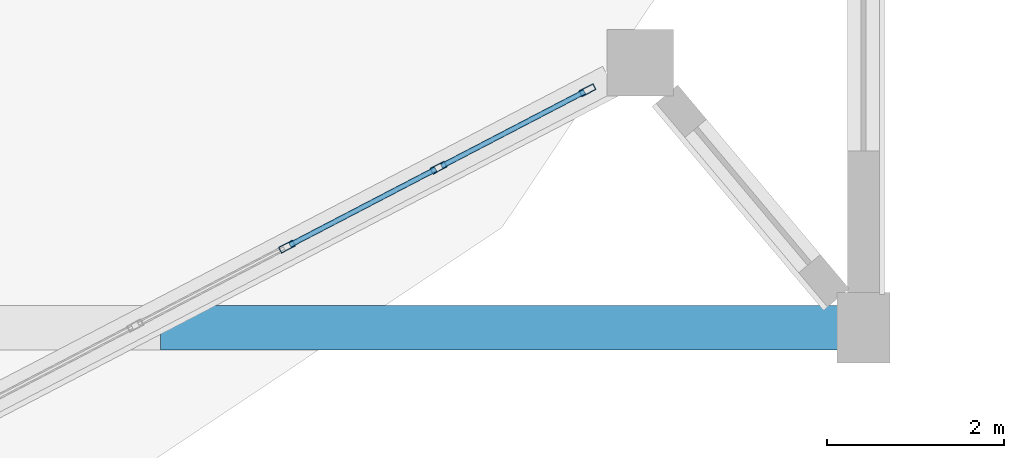
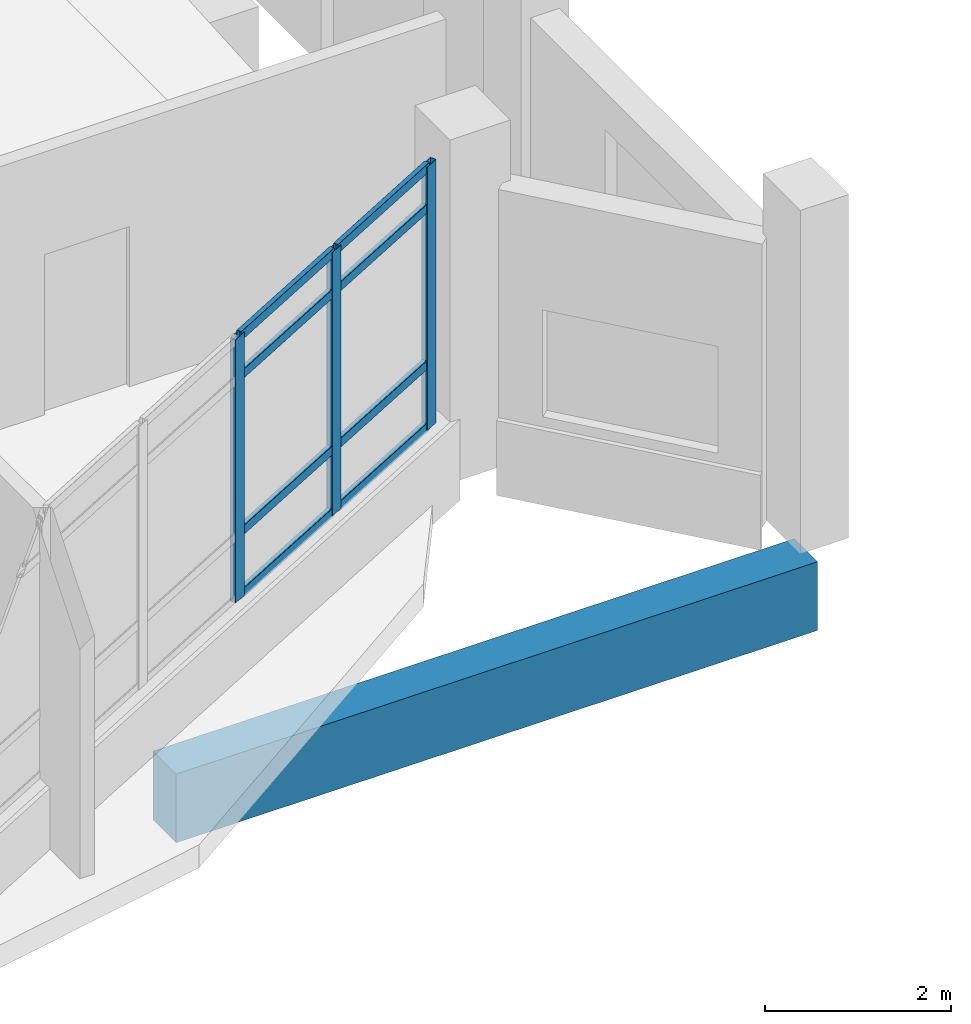
# One storey, part 20 of 129: 11 members, 1 beam, 1 element without a shape of its own.
"""IFC4 building model written with IfcOpenShell, lengths in metres."""

from ifc_helpers import new_model, si_unit, direction, frame, origin, origin_2d, place, context, subcontext, project, spatial, rectangle, hollow_rectangle, extrude, material, layer, layer_set, material_profile, profile_set, type_object, element, aggregate, save


model = new_model("IFC4")

# Units and contexts
model_context = context("Model", 3, precision=1e-05, world=origin(), true_north=direction((0.0, 1.0)))
body_context = subcontext(model_context, "Body", "Model", "MODEL_VIEW")
ifc_project = project(units=[si_unit("LENGTHUNIT", "METRE"), si_unit("AREAUNIT", "SQUARE_METRE"), si_unit("VOLUMEUNIT", "CUBIC_METRE"), si_unit("PLANEANGLEUNIT", "RADIAN"), si_unit("MASSUNIT", "GRAM", prefix="KILO")], contexts=[model_context])

# Site, building, storey
site_placement = place(None, origin())
site = spatial("IfcSite", under=ifc_project, at=site_placement, CompositionType="ELEMENT")
building_placement = place(site_placement, origin())
building = spatial("IfcBuilding", under=site, at=building_placement, Name="Vespera Passage Community Centre", CompositionType="ELEMENT")
storey_placement = place(building_placement, origin())
storey = spatial("IfcBuildingStorey", under=building, at=storey_placement, Name="L00", CompositionType="ELEMENT", Elevation=0.0)

# Beam
ifc_material_1 = material(Name="Concrete f'c 45 MPa", Category="concrete")
ifc_material_profile_1 = material_profile(ifc_material_1, rectangle(XDim=0.5, YDim=0.89990234375, at=origin_2d()), Name="RC500X900")
ifc_profile_set_1 = profile_set([ifc_material_profile_1], Name="Concrete f'c 45 MPa")
beam_type = type_object("IfcBeamType", Name="BM-G-500X900", PredefinedType="BEAM", material=ifc_profile_set_1)
beam_placement = place(storey_placement, frame((24.0, 7.0, -0.75), z_axis=(1.0, 0.0, 0.0), x_axis=(0.0, 1.0, 0.0)))
element("IfcBeam", 1, at=beam_placement, inside=storey, type_object=beam_type, Name="V1 L00 Floor Girder 1.3", PredefinedType="BEAM", context=body_context, shape_type="SweptSolid", body=[
    extrude(rectangle(XDim=0.5, YDim=0.89990234375, at=origin_2d()), origin(), (0.0, 0.0, 1.0), 7.949951171875),
])

# Curtain wall, members
ifc_material_2 = material(Name="Anodized aluminium 6063-T6", Category="aluminium")
ifc_layer = layer(ifc_material_2, 0.159912109375)
ifc_layer_set = layer_set([ifc_layer], Name="Anodized aluminium 6063-T6")
curtain_wall_type = type_object("IfcCurtainWallType", Name="CW-83E", PredefinedType="NOTDEFINED", material=ifc_layer_set)
curtain_wall_placement = place(storey_placement, origin())
curtain_wall = element("IfcCurtainWall", 2, at=curtain_wall_placement, inside=storey, type_object=curtain_wall_type, Name="V1 L00 S Apse Ribbon Curtain Wall 2", PredefinedType="NOTDEFINED")
ifc_material_3 = material(Name="Anodized aluminium 6063-T6", Category="aluminium")
ifc_material_profile_2 = material_profile(ifc_material_3, hollow_rectangle(XDim=0.074951171875, YDim=0.179931640625, WallThickness=0.0048828125, InnerFilletRadius=0.00244140625, OuterFilletRadius=0.0048828125, at=origin_2d()), Name="ALU180X75X5")
ifc_profile_set_2 = profile_set([ifc_material_profile_2], Name="Anodized aluminium 6063-T6")
member_type_1 = type_object("IfcMemberType", Name="MB-CWM-180E", PredefinedType="MULLION", material=ifc_profile_set_2)
member_1_placement = place(storey_placement, frame((28.828125, 9.686767578125, 0.800048828125), z_axis=(0.0, 0.0, 1.0), x_axis=(0.46174493668, -0.887012747062, 0.0)))
member_1 = element("IfcMember", 3, at=member_1_placement, type_object=member_type_1, Name="CW-83E mullion 1", PredefinedType="MULLION", context=body_context, shape_type="SweptSolid", body=[
    extrude(hollow_rectangle(XDim=0.074951171875, YDim=0.179931640625, WallThickness=0.0048828125, InnerFilletRadius=0.00244140625, OuterFilletRadius=0.0048828125, at=origin_2d()), origin(), (0.0, 0.0, 1.0), 3.449951171875),
])
member_2_placement = place(storey_placement, frame((27.1455078125, 8.810791015625, 0.800048828125), z_axis=(0.0, 0.0, 1.0), x_axis=(0.46174493668, -0.887012747062, 0.0)))
member_2 = element("IfcMember", 4, at=member_2_placement, type_object=member_type_1, Name="CW-83E mullion 2", PredefinedType="MULLION", context=body_context, shape_type="SweptSolid", body=[
    extrude(hollow_rectangle(XDim=0.074951171875, YDim=0.179931640625, WallThickness=0.0048828125, InnerFilletRadius=0.00244140625, OuterFilletRadius=0.0048828125, at=origin_2d()), origin(), (0.0, 0.0, 1.0), 3.449951171875),
])
member_3_placement = place(storey_placement, frame((25.4296875, 7.91748046875, 0.800048828125), z_axis=(0.0, 0.0, 1.0), x_axis=(0.46174493668, -0.887012747062, 0.0)))
member_3 = element("IfcMember", 5, at=member_3_placement, type_object=member_type_1, Name="CW-83E mullion 3", PredefinedType="MULLION", context=body_context, shape_type="SweptSolid", body=[
    extrude(hollow_rectangle(XDim=0.074951171875, YDim=0.179931640625, WallThickness=0.0048828125, InnerFilletRadius=0.00244140625, OuterFilletRadius=0.0048828125, at=origin_2d()), origin(), (0.0, 0.0, 1.0), 3.449951171875),
])
ifc_material_4 = material(Name="Anodized aluminium 6063-T6", Category="aluminium")
ifc_material_profile_3 = material_profile(ifc_material_4, hollow_rectangle(XDim=0.06005859375, YDim=0.1201171875, WallThickness=0.00390625, InnerFilletRadius=0.001953125, OuterFilletRadius=0.00390625, at=origin_2d()), Name="ALU120X60X4")
ifc_profile_set_3 = profile_set([ifc_material_profile_3], Name="Anodized aluminium 6063-T6")
member_type_2 = type_object("IfcMemberType", Name="MB-CWT-120E", PredefinedType="USERDEFINED", material=ifc_profile_set_3)
member_4_placement = place(storey_placement, frame((28.794921875, 9.66943359375, 0.830078125), z_axis=(-0.887019277583, -0.461732391322, 0.0), x_axis=(0.461732391322, -0.887019277583, 0.0)))
member_4 = element("IfcMember", 6, at=member_4_placement, type_object=member_type_2, Name="CW-83E transom 1.1", ObjectType="TRANSOM", PredefinedType="USERDEFINED", context=body_context, shape_type="SweptSolid", body=[
    extrude(hollow_rectangle(XDim=0.06005859375, YDim=0.1201171875, WallThickness=0.00390625, InnerFilletRadius=0.001953125, OuterFilletRadius=0.00390625, at=origin_2d()), origin(), (0.0, 0.0, 1.0), 1.822021484375),
])
member_5_placement = place(storey_placement, frame((28.794921875, 9.66943359375, 1.64990234375), z_axis=(-0.887019277583, -0.461732391322, 0.0), x_axis=(0.461732391322, -0.887019277583, 0.0)))
member_5 = element("IfcMember", 7, at=member_5_placement, type_object=member_type_2, Name="CW-83E transom 1.2", ObjectType="TRANSOM", PredefinedType="USERDEFINED", context=body_context, shape_type="SweptSolid", body=[
    extrude(hollow_rectangle(XDim=0.06005859375, YDim=0.1201171875, WallThickness=0.00390625, InnerFilletRadius=0.001953125, OuterFilletRadius=0.00390625, at=origin_2d()), origin(), (0.0, 0.0, 1.0), 1.822021484375),
])
member_6_placement = place(storey_placement, frame((28.794921875, 9.66943359375, 3.699951171875), z_axis=(-0.887019277583, -0.461732391322, 0.0), x_axis=(0.461732391322, -0.887019277583, 0.0)))
member_6 = element("IfcMember", 8, at=member_6_placement, type_object=member_type_2, Name="CW-83E transom 1.3", ObjectType="TRANSOM", PredefinedType="USERDEFINED", context=body_context, shape_type="SweptSolid", body=[
    extrude(hollow_rectangle(XDim=0.06005859375, YDim=0.1201171875, WallThickness=0.00390625, InnerFilletRadius=0.001953125, OuterFilletRadius=0.00390625, at=origin_2d()), origin(), (0.0, 0.0, 1.0), 1.822021484375),
])
member_7_placement = place(storey_placement, frame((28.794921875, 9.66943359375, 4.219970703125), z_axis=(-0.887019277583, -0.461732391322, 0.0), x_axis=(0.461732391322, -0.887019277583, 0.0)))
member_7 = element("IfcMember", 9, at=member_7_placement, type_object=member_type_2, Name="CW-83E transom 1.4", ObjectType="TRANSOM", PredefinedType="USERDEFINED", context=body_context, shape_type="SweptSolid", body=[
    extrude(hollow_rectangle(XDim=0.06005859375, YDim=0.1201171875, WallThickness=0.00390625, InnerFilletRadius=0.001953125, OuterFilletRadius=0.00390625, at=origin_2d()), origin(), (0.0, 0.0, 1.0), 1.822021484375),
])
member_8_placement = place(storey_placement, frame((27.1123046875, 8.79345703125, 0.830078125), z_axis=(-0.887008197889, -0.461753675544, 0.0), x_axis=(0.461753675544, -0.887008197889, 0.0)))
member_8 = element("IfcMember", 10, at=member_8_placement, type_object=member_type_2, Name="CW-83E transom 2.1", ObjectType="TRANSOM", PredefinedType="USERDEFINED", context=body_context, shape_type="SweptSolid", body=[
    extrude(hollow_rectangle(XDim=0.06005859375, YDim=0.1201171875, WallThickness=0.00390625, InnerFilletRadius=0.001953125, OuterFilletRadius=0.00390625, at=origin_2d()), origin(), (0.0, 0.0, 1.0), 1.859619140625),
])
member_9_placement = place(storey_placement, frame((27.1123046875, 8.79345703125, 1.64990234375), z_axis=(-0.887008197889, -0.461753675544, 0.0), x_axis=(0.461753675544, -0.887008197889, 0.0)))
member_9 = element("IfcMember", 11, at=member_9_placement, type_object=member_type_2, Name="CW-83E transom 2.2", ObjectType="TRANSOM", PredefinedType="USERDEFINED", context=body_context, shape_type="SweptSolid", body=[
    extrude(hollow_rectangle(XDim=0.06005859375, YDim=0.1201171875, WallThickness=0.00390625, InnerFilletRadius=0.001953125, OuterFilletRadius=0.00390625, at=origin_2d()), origin(), (0.0, 0.0, 1.0), 1.859619140625),
])
member_10_placement = place(storey_placement, frame((27.1123046875, 8.79345703125, 3.699951171875), z_axis=(-0.887008197889, -0.461753675544, 0.0), x_axis=(0.461753675544, -0.887008197889, 0.0)))
member_10 = element("IfcMember", 12, at=member_10_placement, type_object=member_type_2, Name="CW-83E transom 2.3", ObjectType="TRANSOM", PredefinedType="USERDEFINED", context=body_context, shape_type="SweptSolid", body=[
    extrude(hollow_rectangle(XDim=0.06005859375, YDim=0.1201171875, WallThickness=0.00390625, InnerFilletRadius=0.001953125, OuterFilletRadius=0.00390625, at=origin_2d()), origin(), (0.0, 0.0, 1.0), 1.859619140625),
])
member_11_placement = place(storey_placement, frame((27.1123046875, 8.79345703125, 4.219970703125), z_axis=(-0.887008197889, -0.461753675544, 0.0), x_axis=(0.461753675544, -0.887008197889, 0.0)))
member_11 = element("IfcMember", 13, at=member_11_placement, type_object=member_type_2, Name="CW-83E transom 2.4", ObjectType="TRANSOM", PredefinedType="USERDEFINED", context=body_context, shape_type="SweptSolid", body=[
    extrude(hollow_rectangle(XDim=0.06005859375, YDim=0.1201171875, WallThickness=0.00390625, InnerFilletRadius=0.001953125, OuterFilletRadius=0.00390625, at=origin_2d()), origin(), (0.0, 0.0, 1.0), 1.859619140625),
])
aggregate(curtain_wall, [member_1, member_2, member_3, member_4, member_5, member_6, member_7, member_8, member_9, member_10, member_11])

save(model, "model.ifc")
